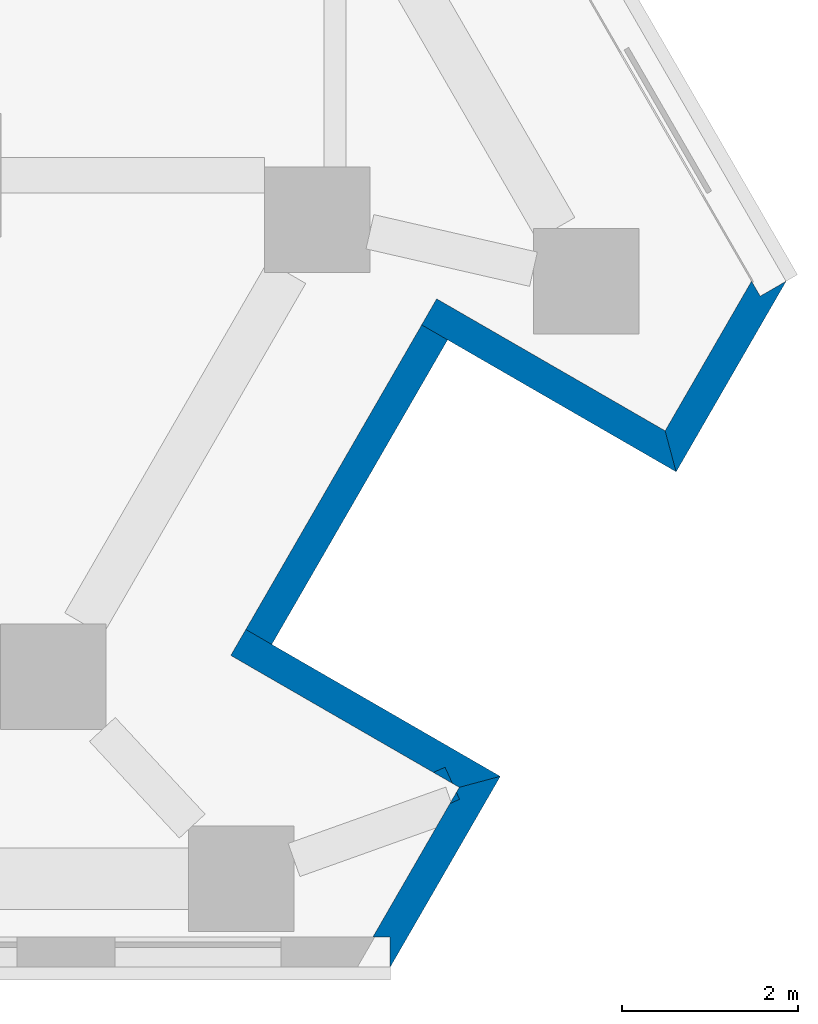
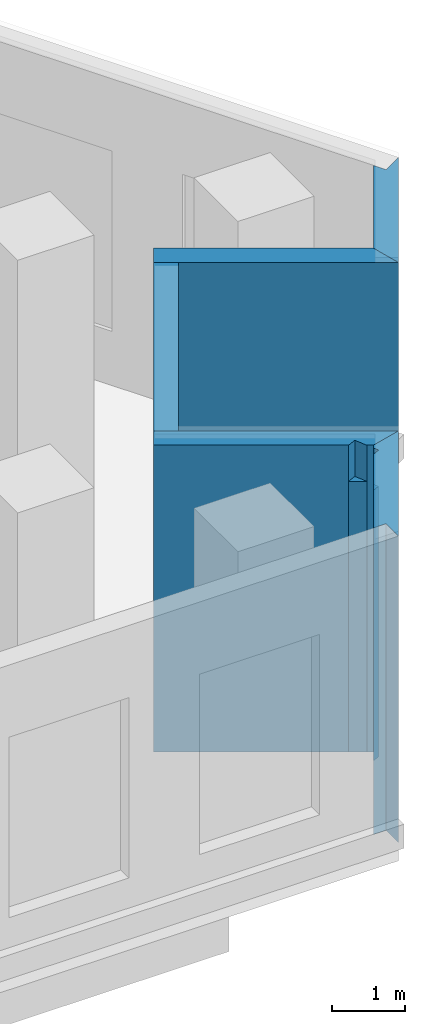
# One storey, part 7 of 10: 7 walls.
"""IFC4 building model written with IfcOpenShell, lengths in metres."""

from ifc_helpers import new_model, si_unit, direction, frame, frame_2d, origin, place, context, subcontext, project, spatial, polyline, rectangle, outline, extrude, material, layer, layer_set, type_object, element, save


model = new_model("IFC4")

# Units and contexts
model_context = context("Model", 3, precision=1e-05, world=origin(), true_north=direction((0.0, 1.0)))
body_context = subcontext(model_context, "Body", "Model", "MODEL_VIEW")
ifc_project = project(units=[si_unit("LENGTHUNIT", "METRE"), si_unit("AREAUNIT", "SQUARE_METRE"), si_unit("VOLUMEUNIT", "CUBIC_METRE"), si_unit("PLANEANGLEUNIT", "RADIAN"), si_unit("MASSUNIT", "GRAM", prefix="KILO")], contexts=[model_context])

# Site, building, storey
site_placement = place(None, origin())
site = spatial("IfcSite", under=ifc_project, at=site_placement, CompositionType="ELEMENT")
building_placement = place(site_placement, origin())
building = spatial("IfcBuilding", under=site, at=building_placement, Name="Fogline Exchange Tower", CompositionType="ELEMENT")
storey_placement = place(building_placement, frame((0.0, 0.0, 47.5)))
storey = spatial("IfcBuildingStorey", under=building, at=storey_placement, Name="L09", CompositionType="ELEMENT", Elevation=47.5)

# Walls
ifc_material = material(Name="Brick masonry", Category="masonry")
ifc_layer = layer(ifc_material, 0.340087890625)
ifc_layer_set = layer_set([ifc_layer], Name="FW3")
wall_type = type_object("IfcWallType", Name="FW3", PredefinedType="SOLIDWALL", material=ifc_layer_set)
wall_1_placement = place(storey_placement, origin())
element("IfcWall", 1, at=wall_1_placement, inside=storey, type_object=wall_type, Name="Brick wall L09 SE-c1", PredefinedType="SOLIDWALL", context=body_context, shape_type="SweptSolid", body=[
    extrude(outline(polyline([(28.37939453125, 1.9833984375), (28.4150390625, 1.905029296875), (28.305419921875, 1.85546875), (28.37939453125, 1.9833984375)])), origin(), (0.0, 0.0, 1.0), 4.5),
])
wall_2_placement = place(storey_placement, origin())
element("IfcWall", 2, at=wall_2_placement, inside=storey, type_object=wall_type, Name="Brick wall L09 SE-c1", PredefinedType="SOLIDWALL", context=body_context, shape_type="SweptSolid", body=[
    extrude(outline(polyline([(27.627685546875, -0.001220703125), (27.626953125, -0.0009765625), (27.626953125, 0.33935546875), (27.43017578125, 0.33935546875), (28.305419921875, 1.85546875), (28.4150390625, 1.905029296875), (28.37939453125, 1.9833984375), (28.412841796875, 2.041015625), (28.87841796875, 2.166015625), (28.878662109375, 2.165771484375), (27.627685546875, -0.001220703125)])), origin(), (0.0, 0.0, 1.0), 5.10009765625),
])
wall_3_placement = place(storey_placement, origin())
element("IfcWall", 3, at=wall_3_placement, inside=storey, type_object=wall_type, Name="Brick wall L09 SE-s1", PredefinedType="SOLIDWALL", context=body_context, shape_type="SweptSolid", body=[
    extrude(outline(polyline([(28.11865234375, 2.2099609375), (28.25, 2.269287109375), (28.3330078125, 2.086181640625), (28.11865234375, 2.2099609375)])), origin(), (0.0, 0.0, 1.0), 4.5),
])
wall_4_placement = place(storey_placement, origin())
element("IfcWall", 4, at=wall_4_placement, inside=storey, type_object=wall_type, Name="Brick wall L09 SE-s1", PredefinedType="SOLIDWALL", context=body_context, shape_type="SweptSolid", body=[
    extrude(outline(polyline([(25.98486328125, 3.8359375), (26.27978515625, 3.66552734375), (28.87890625, 2.1650390625), (28.878662109375, 2.164794921875), (28.4130859375, 2.0400390625), (28.3330078125, 2.086181640625), (28.25, 2.269287109375), (28.11865234375, 2.2099609375), (25.814208984375, 3.540283203125), (25.98486328125, 3.8359375)])), origin(), (0.0, 0.0, 1.0), 5.10009765625),
])
wall_5_placement = place(storey_placement, frame((26.13232421875, 3.75, 0.0), z_axis=(0.0, 0.0, 1.0), x_axis=(0.49999894854, 0.866026010844, 0.0)))
element("IfcWall", 5, at=wall_5_placement, inside=storey, type_object=wall_type, Name="Brick wall L09 SE-bk", PredefinedType="SOLIDWALL", context=body_context, shape_type="SweptSolid", body=[
    extrude(rectangle(XDim=4.0, YDim=0.340087890625, at=frame_2d((2.0, 0.0))), origin(), (0.0, 0.0, 1.0), 5.10009765625),
])
wall_6_placement = place(storey_placement, origin())
element("IfcWall", 6, at=wall_6_placement, inside=storey, type_object=wall_type, Name="Brick wall L09 SE-s2", PredefinedType="SOLIDWALL", context=body_context, shape_type="SweptSolid", body=[
    extrude(outline(polyline([(30.878173828125, 5.628173828125), (28.279296875, 7.128662109375), (27.984375, 7.298828125), (28.15478515625, 7.594482421875), (30.753662109375, 6.093994140625), (30.87841796875, 5.62841796875), (30.878173828125, 5.628173828125)])), origin(), (0.0, 0.0, 1.0), 5.10009765625),
])
wall_7_placement = place(storey_placement, origin())
element("IfcWall", 7, at=wall_7_placement, inside=storey, type_object=wall_type, Name="Brick wall L09 SE-c2", PredefinedType="SOLIDWALL", context=body_context, shape_type="SweptSolid", body=[
    extrude(outline(polyline([(31.735107421875, 7.79541015625), (31.83349609375, 7.625), (32.128173828125, 7.79541015625), (32.128662109375, 7.794921875), (30.877685546875, 5.6279296875), (30.877197265625, 5.6279296875), (30.75244140625, 6.09375), (31.735107421875, 7.79541015625)])), origin(), (0.0, 0.0, 1.0), 5.10009765625),
])

save(model, "model.ifc")
